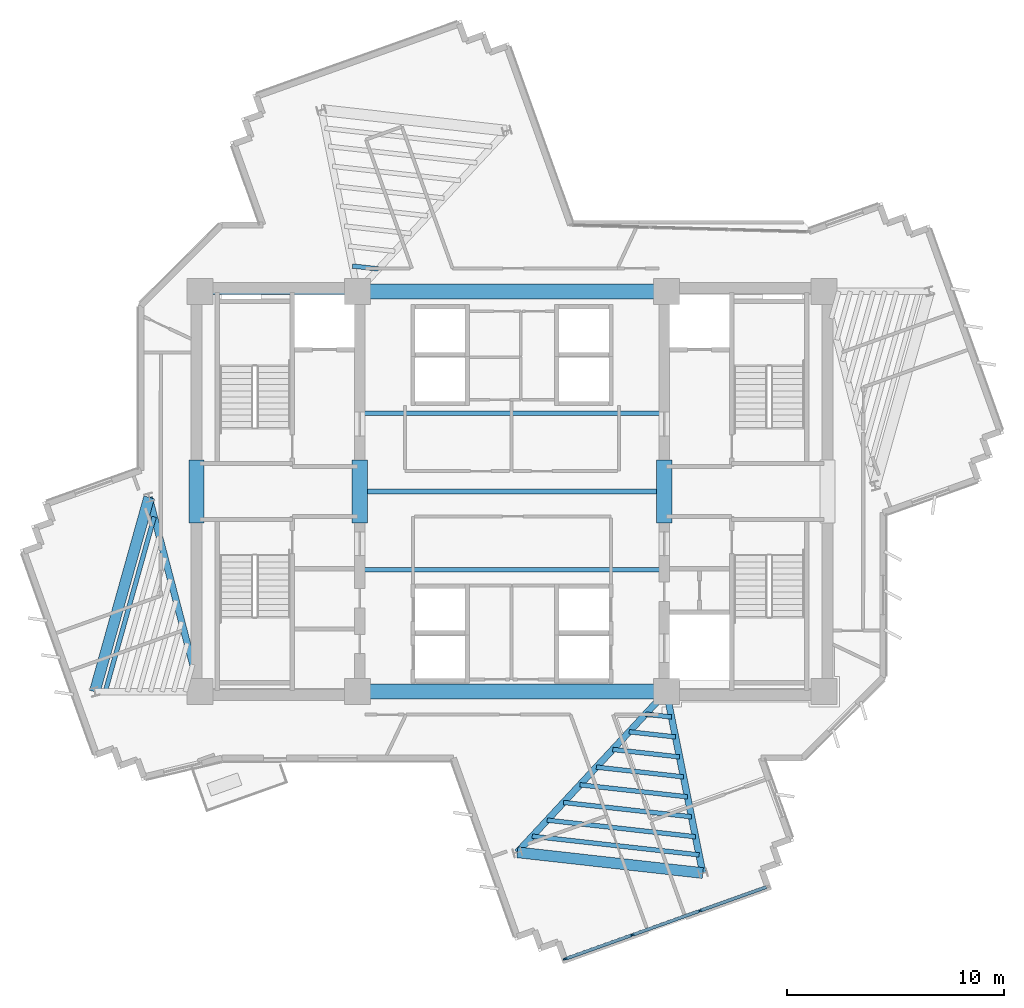
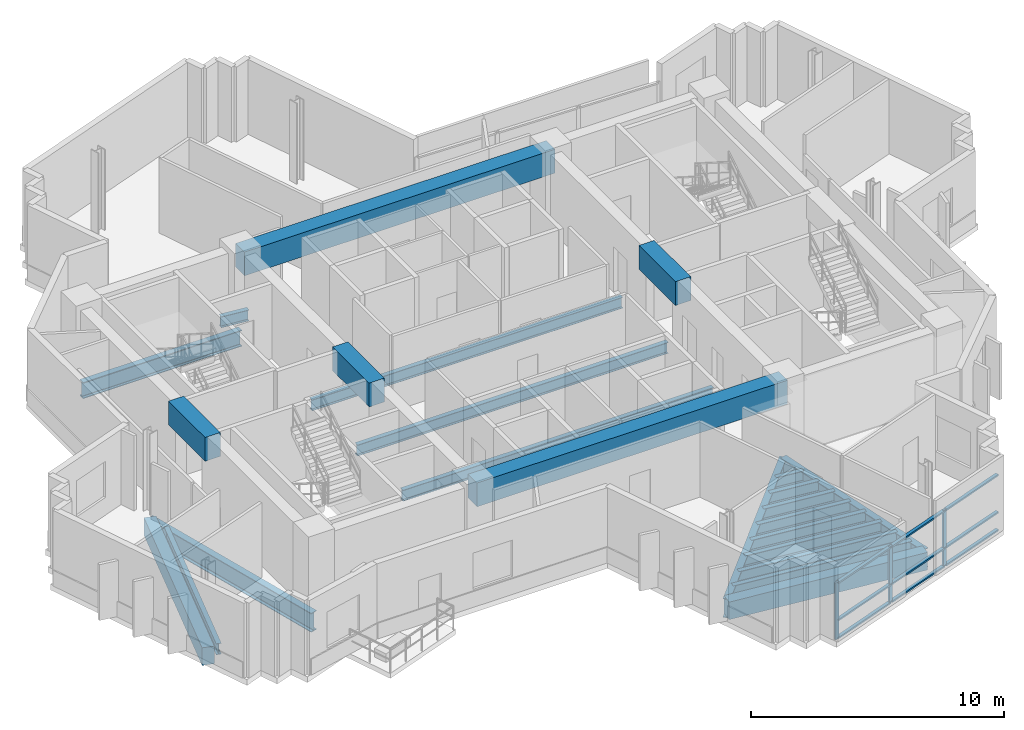
# One storey, part 2 of 13: 24 beams, 12 members, 1 element without a shape of its own.
"""IFC4 building model written with IfcOpenShell, lengths in metres."""

import ifcopenshell
import ifcopenshell.guid

model = None  # the IFC model being written
_history = None  # IfcOwnerHistory: only IFC2X3 demands one
_inside = {}  # id of a spatial element -> (the spatial element, [elements in it])
_under = {}  # id of a project, library or spatial element -> (it, [spatial elements below it])
_declared = {}  # id of a project -> (the project, [libraries it declares])
_typed = {}  # id of a type object -> (the type object, [elements of that type])
_made_of = {}  # id of a material, layer set ... -> (it, [elements and type objects made of it])


def new_model(schema):
    """Start an empty IFC model of exactly this schema.

    Asked for "IFC4X3", IfcOpenShell would pick the latest addendum, in which some entities
    have other attributes; the version numbers below select the first issue.
    IFC2X3 requires an IfcOwnerHistory on every rooted entity: one is made here for all.
    """
    global model, _history
    if schema == "IFC4X3":
        model = ifcopenshell.file(schema_version=(4, 3, 0, 0))
    else:
        model = ifcopenshell.file(schema=schema)
    _inside.clear()
    _under.clear()
    _declared.clear()
    _typed.clear()
    _made_of.clear()
    _history = None
    if model.schema == "IFC2X3":
        org = make("IfcOrganization", Name="unknown")
        user = make(
            "IfcPersonAndOrganization",
            ThePerson=make("IfcPerson", FamilyName="unknown"),
            TheOrganization=org,
        )
        app = make(
            "IfcApplication",
            ApplicationDeveloper=org,
            Version="unknown",
            ApplicationFullName="unknown",
            ApplicationIdentifier="unknown",
        )
        _history = make(
            "IfcOwnerHistory",
            OwningUser=user,
            OwningApplication=app,
            ChangeAction="ADDED",
            CreationDate=0,
        )
    return model


def make(cls, **values):
    """One entity of the class cls with the attributes given. An attribute that is None is left unset."""
    return model.create_entity(
        cls, **{name: value for name, value in values.items() if value is not None}
    )


def rooted(cls, **values):
    """An entity with a GlobalId (a new one), such as an element, a storey or a relation."""
    return make(cls, GlobalId=ifcopenshell.guid.new(), OwnerHistory=_history, **values)


def si_unit(unit_type, name, prefix=None):
    """IfcSIUnit, for example si_unit("LENGTHUNIT", "METRE", prefix="MILLI")."""
    return make("IfcSIUnit", UnitType=unit_type, Prefix=prefix, Name=name)


def assignment(units):
    """IfcUnitAssignment: the units of a project."""
    return None if units is None else make("IfcUnitAssignment", Units=units)


def point(xyz):
    """IfcCartesianPoint."""
    return None if xyz is None else make("IfcCartesianPoint", Coordinates=xyz)


def direction(xyz):
    """IfcDirection."""
    return None if xyz is None else make("IfcDirection", DirectionRatios=xyz)


def frame(location, z_axis=None, x_axis=None):
    """IfcAxis2Placement3D, a coordinate frame: its origin and axes. An axis left out is left unset."""
    return make(
        "IfcAxis2Placement3D",
        Location=point(location),
        Axis=direction(z_axis),
        RefDirection=direction(x_axis),
    )


def frame_2d(location, x_axis=None):
    """IfcAxis2Placement2D, a coordinate frame in the plane: its origin and x axis."""
    return make(
        "IfcAxis2Placement2D", Location=point(location), RefDirection=direction(x_axis)
    )


def origin():
    """The frame at (0, 0, 0) with its axes left unset."""
    return frame((0.0, 0.0, 0.0))


def origin_2d():
    """The frame at (0, 0) in the plane with its x axis left unset."""
    return frame_2d((0.0, 0.0))


def place(relative_to, where):
    """IfcLocalPlacement: puts the frame where relative to a parent placement (None: the world)."""
    return make(
        "IfcLocalPlacement", PlacementRelTo=relative_to, RelativePlacement=where
    )


def context(
    kind, dimensions, precision=None, world=None, true_north=None, identifier=None
):
    """IfcGeometricRepresentationContext, for example the 3D "Model" context."""
    return make(
        "IfcGeometricRepresentationContext",
        ContextIdentifier=identifier,
        ContextType=kind,
        CoordinateSpaceDimension=dimensions,
        Precision=precision,
        WorldCoordinateSystem=world,
        TrueNorth=true_north,
    )


def subcontext(parent, identifier, kind, view, scale=None):
    """IfcGeometricRepresentationSubContext, for example "Body" below "Model"."""
    return make(
        "IfcGeometricRepresentationSubContext",
        ContextIdentifier=identifier,
        ContextType=kind,
        ParentContext=parent,
        TargetScale=scale,
        TargetView=view,
    )


def project(units=None, contexts=None):
    """IfcProject with its units and contexts."""
    return rooted(
        "IfcProject",
        Name="project",
        RepresentationContexts=contexts,
        UnitsInContext=assignment(units),
    )


def spatial(cls, under=None, at=None, **own):
    """A site, building, storey or space (cls), placed at a placement, below another one or the project."""
    s = rooted(cls, ObjectPlacement=at, **own)
    if under is not None:
        _under.setdefault(under.id(), (under, []))[1].append(s)
    return s


def profile(cls, at=None, kind="AREA", **sizes):
    """A parametric profile (cls). Its sizes go by their IFC names, for example OverallWidth=200.0."""
    return make(cls, ProfileType=kind, Position=at, **sizes)


def rectangle(**sizes):
    """IfcRectangleProfileDef."""
    return profile("IfcRectangleProfileDef", **sizes)


def i_section(**sizes):
    """IfcIShapeProfileDef."""
    return profile("IfcIShapeProfileDef", **sizes)


def extrude(swept, where, along, depth):
    """IfcExtrudedAreaSolid: the profile swept, set in the frame where, extruded along a direction by depth."""
    return make(
        "IfcExtrudedAreaSolid",
        SweptArea=swept,
        Position=where,
        ExtrudedDirection=direction(along),
        Depth=depth,
    )


def shape(context_of_items, identifier, shape_type, items):
    """IfcShapeRepresentation: the items that make up one representation, for example the "Body"."""
    return make(
        "IfcShapeRepresentation",
        ContextOfItems=context_of_items,
        RepresentationIdentifier=identifier,
        RepresentationType=shape_type,
        Items=items,
    )


def source(mapping_origin, context_of_items, identifier, shape_type, items):
    """IfcRepresentationMap: a shape defined once, which mapped items show again and again."""
    return make(
        "IfcRepresentationMap",
        MappingOrigin=mapping_origin,
        MappedRepresentation=shape(context_of_items, identifier, shape_type, items),
    )


def transform(
    local_origin,
    x_axis=None,
    y_axis=None,
    z_axis=None,
    scale=None,
    scale2=None,
    scale3=None,
    uniform=True,
):
    """IfcCartesianTransformationOperator3D, or its non-uniform kind. x_axis, y_axis, z_axis: its Axis1, 2, 3."""
    if uniform:
        return make(
            "IfcCartesianTransformationOperator3D",
            Axis1=direction(x_axis),
            Axis2=direction(y_axis),
            LocalOrigin=point(local_origin),
            Scale=scale,
            Axis3=direction(z_axis),
        )
    return make(
        "IfcCartesianTransformationOperator3DnonUniform",
        Axis1=direction(x_axis),
        Axis2=direction(y_axis),
        LocalOrigin=point(local_origin),
        Scale=scale,
        Axis3=direction(z_axis),
        Scale2=scale2,
        Scale3=scale3,
    )


def mapped(mapping_source, mapping_target):
    """IfcMappedItem: shows the shape of a source again, moved by a transform."""
    return make(
        "IfcMappedItem", MappingSource=mapping_source, MappingTarget=mapping_target
    )


def material(Name=None, Category=None):
    """IfcMaterial."""
    return make("IfcMaterial", Name=Name, Category=Category)


def layer(
    of_material, thickness, ventilated=None, Name=None, Category=None, Priority=None
):
    """IfcMaterialLayer: one layer of a wall or slab, of a material (None: an air gap)."""
    return make(
        "IfcMaterialLayer",
        Material=of_material,
        LayerThickness=thickness,
        IsVentilated=ventilated,
        Name=Name,
        Category=Category,
        Priority=Priority,
    )


def layer_set(layers, Name=None):
    """IfcMaterialLayerSet."""
    return make("IfcMaterialLayerSet", MaterialLayers=layers, LayerSetName=Name)


def material_profile(
    of_material, cross_section, Name=None, Category=None, Priority=None
):
    """IfcMaterialProfile: a cross section and its material."""
    return make(
        "IfcMaterialProfile",
        Name=Name,
        Material=of_material,
        Profile=cross_section,
        Priority=Priority,
        Category=Category,
    )


def profile_set(profiles, Name=None, composite=None):
    """IfcMaterialProfileSet."""
    return make(
        "IfcMaterialProfileSet",
        Name=Name,
        MaterialProfiles=profiles,
        CompositeProfile=composite,
    )


def made_of(thing, what):
    """Note that an element or type object is made of a material, layer set ...; save() writes the relation."""
    if what is not None:
        _made_of.setdefault(what.id(), (what, []))[1].append(thing)
    return thing


def type_object(cls, material=None, **own):
    """A type object (cls), such as IfcWallType, which elements share."""
    return made_of(rooted(cls, **own), material)


def element(
    cls,
    number,
    at=None,
    inside=None,
    cuts=None,
    type_object=None,
    material=None,
    context=None,
    identifier="Body",
    shape_type=None,
    held_by="IfcProductDefinitionShape",
    body=None,
    shapes=None,
    **own,
):
    """One element of the class cls, such as IfcWall. Its Tag is "e" and its number.

    at: its placement. inside: the storey or other place that contains it. cuts: it is an
    opening in that element (IfcRelVoidsElement). A single representation is given by context,
    identifier, shape_type and body (its items); several are given by shapes. held_by: the class
    of the entity that holds the representations. save() writes the other relations.
    """
    e = rooted(cls, Tag="e%d" % number, ObjectPlacement=at, **own)
    if body is not None:
        shapes = [shape(context, identifier, shape_type, body)]
    if shapes is not None:
        e.Representation = make(held_by, Representations=shapes)
    if inside is not None:
        _inside.setdefault(inside.id(), (inside, []))[1].append(e)
    if cuts is not None:
        rooted(
            "IfcRelVoidsElement", RelatingBuildingElement=cuts, RelatedOpeningElement=e
        )
    if type_object is not None:
        _typed.setdefault(type_object.id(), (type_object, []))[1].append(e)
    return made_of(e, material)


def aggregate(whole, parts):
    """IfcRelAggregates: a whole, such as a stair, and the parts it consists of."""
    return rooted("IfcRelAggregates", RelatingObject=whole, RelatedObjects=parts)


def save(model, path):
    """Write the relations noted so far, then the file.

    IfcRelAggregates (storeys below a building ...), IfcRelContainedInSpatialStructure (elements
    in a storey), IfcRelDefinesByType, IfcRelAssociatesMaterial and IfcRelDeclares: one each for
    every whole, place, type object, material and project.
    """
    for whole, parts in _under.values():
        aggregate(whole, parts)
    for where, things in _inside.values():
        rooted(
            "IfcRelContainedInSpatialStructure",
            RelatedElements=things,
            RelatingStructure=where,
        )
    for kind, things in _typed.values():
        rooted("IfcRelDefinesByType", RelatedObjects=things, RelatingType=kind)
    for what, things in _made_of.values():
        rooted("IfcRelAssociatesMaterial", RelatedObjects=things, RelatingMaterial=what)
    for by, libraries in _declared.values():
        rooted("IfcRelDeclares", RelatingContext=by, RelatedDefinitions=libraries)
    model.write(path)


model = new_model("IFC4")

# Units and contexts
model_context = context("Model", 3, precision=1e-05, world=origin(), true_north=direction((0.0, 1.0)))
body_context = subcontext(model_context, "Body", "Model", "MODEL_VIEW")
ifc_project = project(units=[si_unit("LENGTHUNIT", "METRE"), si_unit("AREAUNIT", "SQUARE_METRE"), si_unit("VOLUMEUNIT", "CUBIC_METRE"), si_unit("PLANEANGLEUNIT", "RADIAN"), si_unit("MASSUNIT", "GRAM", prefix="KILO")], contexts=[model_context])

# Site, building, storey
site_placement = place(None, origin())
site = spatial("IfcSite", under=ifc_project, at=site_placement, CompositionType="ELEMENT")
building_placement = place(site_placement, origin())
building = spatial("IfcBuilding", under=site, at=building_placement, Name="Zahravan Cultural Tower", CompositionType="ELEMENT")
storey_placement = place(building_placement, frame((0.0, 0.0, 221.39990234375)))
storey = spatial("IfcBuildingStorey", under=building, at=storey_placement, Name="L52", CompositionType="ELEMENT", Elevation=221.39990234375)

# Beams
ifc_material_1 = material(Name="Concrete C50/60", Category="concrete")
ifc_material_profile_1 = material_profile(ifc_material_1, rectangle(XDim=0.699951171875, YDim=1.14990234375, at=origin_2d()), Name="RC700X1150")
ifc_profile_set_1 = profile_set([ifc_material_profile_1], Name="Concrete C50/60")
beam_type_1 = type_object("IfcBeamType", Name="BM-LN-RC700X1150", PredefinedType="LINTEL", material=ifc_profile_set_1)
shared_shape_1 = source(origin(), body_context, "Body", "SweptSolid", [
    extrude(rectangle(XDim=0.699951171875, YDim=1.14990234375, at=origin_2d()), origin(), (0.0, 0.0, 1.0), 14.2001953125),
])
for number, where, z_axis, x_axis, name in (
    (1, (28.89990234375, 17.800048828125, 3.045166015625), (1.0, 0.0, 0.0), (0.0, 1.0, 0.0), "L52 Beam LN-L52-S"),
    (2, (28.89990234375, 36.199951171875, 3.045166015625), (1.0, 0.0, 0.0), (0.0, 1.0, 0.0), "L52 Beam LN-L52-N"),
):
    element("IfcBeam", number, at=place(storey_placement, frame(where, z_axis=z_axis, x_axis=x_axis)), inside=storey, type_object=beam_type_1, Name=name, PredefinedType="LINTEL", context=body_context, shape_type="MappedRepresentation", body=[
        mapped(shared_shape_1, transform((0.0, 0.0, 0.0), x_axis=(1.0, 0.0, 0.0), y_axis=(0.0, 1.0, 0.0), z_axis=(0.0, 0.0, 1.0), scale=1.0)),
    ])
shared_shape_2 = source(origin(), body_context, "Body", "SweptSolid", [
    extrude(rectangle(XDim=0.699951171875, YDim=1.14990234375, at=origin_2d()), origin(), (0.0, 0.0, 1.0), 2.89990234375),
])
for number, where, z_axis, x_axis, name in (
    (3, (21.5, 25.550048828125, 3.045166015625), (0.0, 1.0, 0.0), (-1.0, 0.0, 0.0), "L52 Beam LN-L52-PWW"),
    (4, (29.0, 25.550048828125, 3.045166015625), (0.0, 1.0, 0.0), (-1.0, 0.0, 0.0), "L52 Beam LN-L52-PWE"),
    (5, (43.0, 25.550048828125, 3.045166015625), (0.0, 1.0, 0.0), (-1.0, 0.0, 0.0), "L52 Beam LN-L52-PEW"),
):
    element("IfcBeam", number, at=place(storey_placement, frame(where, z_axis=z_axis, x_axis=x_axis)), inside=storey, type_object=beam_type_1, Name=name, PredefinedType="LINTEL", context=body_context, shape_type="MappedRepresentation", body=[
        mapped(shared_shape_2, transform((0.0, 0.0, 0.0), x_axis=(1.0, 0.0, 0.0), y_axis=(0.0, 1.0, 0.0), z_axis=(0.0, 0.0, 1.0), scale=1.0)),
    ])
ifc_material_2 = material(Name="Steel ASTM A992 Grade 50", Category="steel")
ifc_material_profile_2 = material_profile(ifc_material_2, i_section(OverallWidth=0.26611328125, OverallDepth=0.780029296875, WebThickness=0.0166015625, FlangeThickness=0.030029296875, FilletRadius=0.01904296875, at=origin_2d()), Name="W30X148")
ifc_profile_set_2 = profile_set([ifc_material_profile_2], Name="Steel ASTM A992 Grade 50")
beam_type_2 = type_object("IfcBeamType", Name="BM-G-W30X148", PredefinedType="BEAM", material=ifc_profile_set_2)
shared_shape_3 = source(origin(), body_context, "Body", "SweptSolid", [
    extrude(i_section(OverallWidth=0.26611328125, OverallDepth=0.780029296875, WebThickness=0.0166015625, FlangeThickness=0.030029296875, FilletRadius=0.01904296875, at=origin_2d()), origin(), (0.0, 0.0, 1.0), 7.25),
])
beam_1_placement = place(storey_placement, frame((21.64990234375, 36.199951171875, -0.669921875), z_axis=(1.0, 0.0, 0.0), x_axis=(0.0, 1.0, 0.0)))
element("IfcBeam", 6, at=beam_1_placement, inside=storey, type_object=beam_type_2, Name="L52 Beam BG-L52-02", PredefinedType="BEAM", context=body_context, shape_type="MappedRepresentation", body=[
    mapped(shared_shape_3, transform((0.0, 0.0, 0.0), x_axis=(1.0, 0.0, 0.0), y_axis=(0.0, 1.0, 0.0), z_axis=(0.0, 0.0, 1.0), scale=1.0)),
])
ifc_material_profile_3 = material_profile(ifc_material_2, i_section(OverallWidth=0.304931640625, OverallDepth=0.9189453125, WebThickness=0.017333984375, FlangeThickness=0.02783203125, FilletRadius=0.02392578125, at=origin_2d()), Name="W36X170")
ifc_profile_set_3 = profile_set([ifc_material_profile_3], Name="Steel ASTM A992 Grade 50")
beam_type_3 = type_object("IfcBeamType", Name="BM-G-W36X170", PredefinedType="BEAM", material=ifc_profile_set_3)
shared_shape_4 = source(origin(), body_context, "Body", "SweptSolid", [
    extrude(i_section(OverallWidth=0.304931640625, OverallDepth=0.9189453125, WebThickness=0.017333984375, FlangeThickness=0.02783203125, FilletRadius=0.02392578125, at=origin_2d()), origin(), (0.0, 0.0, 1.0), 9.22900390625),
])
beam_2_placement = place(storey_placement, frame((21.64990234375, 17.800048828125, -0.739501953125), z_axis=(-0.252922608408, 0.967486513682, 0.0), x_axis=(-0.967486513682, -0.252922608408, 0.0)))
element("IfcBeam", 7, at=beam_2_placement, inside=storey, type_object=beam_type_3, Name="L52 Beam BG-L52-07", PredefinedType="BEAM", context=body_context, shape_type="MappedRepresentation", body=[
    mapped(shared_shape_4, transform((0.0, 0.0, 0.0), x_axis=(1.0, 0.0, 0.0), y_axis=(0.0, 1.0, 0.0), z_axis=(0.0, 0.0, 1.0), scale=1.0)),
])
shared_shape_5 = source(origin(), body_context, "Body", "SweptSolid", [
    extrude(i_section(OverallWidth=0.304931640625, OverallDepth=0.9189453125, WebThickness=0.017333984375, FlangeThickness=0.02783203125, FilletRadius=0.02392578125, at=origin_2d()), origin(), (0.0, 0.0, 1.0), 10.077880859375),
])
beam_3_placement = place(storey_placement, frame((43.10009765625, 17.800048828125, -0.739501953125), z_axis=(-0.680170435587, -0.733054007938, 0.0), x_axis=(0.733054007938, -0.680170435587, 0.0)))
element("IfcBeam", 8, at=beam_3_placement, inside=storey, type_object=beam_type_3, Name="L52 Beam BG-L52-09", PredefinedType="BEAM", context=body_context, shape_type="MappedRepresentation", body=[
    mapped(shared_shape_5, transform((0.0, 0.0, 0.0), x_axis=(1.0, 0.0, 0.0), y_axis=(0.0, 1.0, 0.0), z_axis=(0.0, 0.0, 1.0), scale=1.0)),
])
shared_shape_6 = source(origin(), body_context, "Body", "SweptSolid", [
    extrude(i_section(OverallWidth=0.304931640625, OverallDepth=0.9189453125, WebThickness=0.017333984375, FlangeThickness=0.02783203125, FilletRadius=0.02392578125, at=origin_2d()), origin(), (0.0, 0.0, 1.0), 8.50732421875),
])
beam_4_placement = place(storey_placement, frame((43.10009765625, 17.800048828125, -0.739501953125), z_axis=(0.196524514012, -0.980498911469, 0.0), x_axis=(0.980498911469, 0.196524514012, 0.0)))
element("IfcBeam", 9, at=beam_4_placement, inside=storey, type_object=beam_type_3, Name="L52 Beam BG-L52-10", PredefinedType="BEAM", context=body_context, shape_type="MappedRepresentation", body=[
    mapped(shared_shape_6, transform((0.0, 0.0, 0.0), x_axis=(1.0, 0.0, 0.0), y_axis=(0.0, 1.0, 0.0), z_axis=(0.0, 0.0, 1.0), scale=1.0)),
])
ifc_material_profile_4 = material_profile(ifc_material_1, rectangle(XDim=0.5, YDim=0.85009765625, at=origin_2d()), Name="RC500X850")
ifc_profile_set_4 = profile_set([ifc_material_profile_4], Name="Concrete C50/60")
beam_type_4 = type_object("IfcBeamType", Name="BM-SP-RC500X850", PredefinedType="SPANDREL", material=ifc_profile_set_4)
shared_shape_7 = source(origin(), body_context, "Body", "SweptSolid", [
    extrude(rectangle(XDim=0.5, YDim=0.85009765625, at=origin_2d()), origin(), (0.0, 0.0, 1.0), 9.2783203125),
])
beam_5_placement = place(storey_placement, frame((19.315673828125, 26.72900390625, -0.704833984375), z_axis=(-0.269497187032, -0.963001176625, 0.0), x_axis=(0.963001176625, -0.269497187032, 0.0)))
element("IfcBeam", 10, at=beam_5_placement, inside=storey, type_object=beam_type_4, Name="L52 Beam SP-L52-15", PredefinedType="SPANDREL", context=body_context, shape_type="MappedRepresentation", body=[
    mapped(shared_shape_7, transform((0.0, 0.0, 0.0), x_axis=(1.0, 0.0, 0.0), y_axis=(0.0, 1.0, 0.0), z_axis=(0.0, 0.0, 1.0), scale=1.0)),
])
shared_shape_8 = source(origin(), body_context, "Body", "SweptSolid", [
    extrude(rectangle(XDim=0.5, YDim=0.85009765625, at=origin_2d()), origin(), (0.0, 0.0, 1.0), 8.579833984375),
])
beam_6_placement = place(storey_placement, frame((36.245361328125, 10.412353515625, -0.704833984375), z_axis=(0.9938040105, -0.11114669907, 0.0), x_axis=(0.11114669907, 0.9938040105, 0.0)))
element("IfcBeam", 11, at=beam_6_placement, inside=storey, type_object=beam_type_4, Name="L52 Beam SP-L52-16", PredefinedType="SPANDREL", context=body_context, shape_type="MappedRepresentation", body=[
    mapped(shared_shape_8, transform((0.0, 0.0, 0.0), x_axis=(1.0, 0.0, 0.0), y_axis=(0.0, 1.0, 0.0), z_axis=(0.0, 0.0, 1.0), scale=1.0)),
])
ifc_material_profile_5 = material_profile(ifc_material_2, i_section(OverallWidth=0.2099609375, OverallDepth=0.532958984375, WebThickness=0.01025390625, FlangeThickness=0.015625, FilletRadius=0.013916015625, at=origin_2d()), Name="W21X62")
ifc_profile_set_5 = profile_set([ifc_material_profile_5], Name="Steel ASTM A992 Grade 50")
beam_type_5 = type_object("IfcBeamType", Name="BM-J-W21X62", PredefinedType="JOIST", material=ifc_profile_set_5)
shared_shape_9 = source(origin(), body_context, "Body", "SweptSolid", [
    extrude(i_section(OverallWidth=0.2099609375, OverallDepth=0.532958984375, WebThickness=0.01025390625, FlangeThickness=0.015625, FilletRadius=0.013916015625, at=origin_2d()), origin(), (0.0, 0.0, 1.0), 14.2001953125),
])
for number, where, z_axis, x_axis, name in (
    (12, (28.89990234375, 23.39990234375, -0.54638671875), (1.0, 0.0, 0.0), (0.0, 1.0, 0.0), "L52 Beam BJ-L52-19"),
    (13, (28.89990234375, 27.0, -0.54638671875), (1.0, 0.0, 0.0), (0.0, 1.0, 0.0), "L52 Beam BJ-L52-20"),
    (14, (28.89990234375, 30.60009765625, -0.54638671875), (1.0, 0.0, 0.0), (0.0, 1.0, 0.0), "L52 Beam BJ-L52-21"),
):
    element("IfcBeam", number, at=place(storey_placement, frame(where, z_axis=z_axis, x_axis=x_axis)), inside=storey, type_object=beam_type_5, Name=name, PredefinedType="JOIST", context=body_context, shape_type="MappedRepresentation", body=[
        mapped(shared_shape_9, transform((0.0, 0.0, 0.0), x_axis=(1.0, 0.0, 0.0), y_axis=(0.0, 1.0, 0.0), z_axis=(0.0, 0.0, 1.0), scale=1.0)),
    ])
shared_shape_10 = source(origin(), body_context, "Body", "SweptSolid", [
    extrude(i_section(OverallWidth=0.2099609375, OverallDepth=0.532958984375, WebThickness=0.01025390625, FlangeThickness=0.015625, FilletRadius=0.013916015625, at=origin_2d()), origin(), (0.0, 0.0, 1.0), 8.350830078125),
])
beam_7_placement = place(storey_placement, frame((19.549072265625, 25.836181640625, -0.54638671875), z_axis=(-0.269496539555, -0.963001357822, 0.0), x_axis=(0.963001357822, -0.269496539555, 0.0)))
element("IfcBeam", 15, at=beam_7_placement, inside=storey, type_object=beam_type_5, Name="L52 Beam BJ-L52-29", PredefinedType="JOIST", context=body_context, shape_type="MappedRepresentation", body=[
    mapped(shared_shape_10, transform((0.0, 0.0, 0.0), x_axis=(1.0, 0.0, 0.0), y_axis=(0.0, 1.0, 0.0), z_axis=(0.0, 0.0, 1.0), scale=1.0)),
])
shared_shape_11 = source(origin(), body_context, "Body", "SweptSolid", [
    extrude(i_section(OverallWidth=0.2099609375, OverallDepth=0.532958984375, WebThickness=0.01025390625, FlangeThickness=0.015625, FilletRadius=0.013916015625, at=origin_2d()), origin(), (0.0, 0.0, 1.0), 1.201171875),
])
for number, where, z_axis, x_axis, name in (
    (16, (42.140380859375, 16.765625, -0.54638671875), (0.99379916149, -0.111190047317, 0.0), (0.111190047317, 0.99379916149, 0.0), "L52 Beam BJ-L52-30"),
    (17, (29.859619140625, 37.234375, -0.54638671875), (-0.99379916149, 0.111190047317, 0.0), (-0.111190047317, -0.99379916149, 0.0), "L52 Beam BJ-L52-46"),
):
    element("IfcBeam", number, at=place(storey_placement, frame(where, z_axis=z_axis, x_axis=x_axis)), inside=storey, type_object=beam_type_5, Name=name, PredefinedType="JOIST", context=body_context, shape_type="MappedRepresentation", body=[
        mapped(shared_shape_11, transform((0.0, 0.0, 0.0), x_axis=(1.0, 0.0, 0.0), y_axis=(0.0, 1.0, 0.0), z_axis=(0.0, 0.0, 1.0), scale=1.0)),
    ])
shared_shape_12 = source(origin(), body_context, "Body", "SweptSolid", [
    extrude(i_section(OverallWidth=0.2099609375, OverallDepth=0.532958984375, WebThickness=0.01025390625, FlangeThickness=0.015625, FilletRadius=0.013916015625, at=origin_2d()), origin(), (0.0, 0.0, 1.0), 2.144775390625),
])
beam_8_placement = place(storey_placement, frame((41.386474609375, 15.953125, -0.54638671875), z_axis=(0.993797370806, -0.111206051, 0.0), x_axis=(0.111206051, 0.993797370806, 0.0)))
element("IfcBeam", 18, at=beam_8_placement, inside=storey, type_object=beam_type_5, Name="L52 Beam BJ-L52-31", PredefinedType="JOIST", context=body_context, shape_type="MappedRepresentation", body=[
    mapped(shared_shape_12, transform((0.0, 0.0, 0.0), x_axis=(1.0, 0.0, 0.0), y_axis=(0.0, 1.0, 0.0), z_axis=(0.0, 0.0, 1.0), scale=1.0)),
])
shared_shape_13 = source(origin(), body_context, "Body", "SweptSolid", [
    extrude(i_section(OverallWidth=0.2099609375, OverallDepth=0.532958984375, WebThickness=0.01025390625, FlangeThickness=0.015625, FilletRadius=0.013916015625, at=origin_2d()), origin(), (0.0, 0.0, 1.0), 3.088623046875),
])
beam_9_placement = place(storey_placement, frame((40.63232421875, 15.140380859375, -0.54638671875), z_axis=(0.993805407368, -0.111134208443, 0.0), x_axis=(0.111134208443, 0.993805407368, 0.0)))
element("IfcBeam", 19, at=beam_9_placement, inside=storey, type_object=beam_type_5, Name="L52 Beam BJ-L52-32", PredefinedType="JOIST", context=body_context, shape_type="MappedRepresentation", body=[
    mapped(shared_shape_13, transform((0.0, 0.0, 0.0), x_axis=(1.0, 0.0, 0.0), y_axis=(0.0, 1.0, 0.0), z_axis=(0.0, 0.0, 1.0), scale=1.0)),
])
shared_shape_14 = source(origin(), body_context, "Body", "SweptSolid", [
    extrude(i_section(OverallWidth=0.2099609375, OverallDepth=0.532958984375, WebThickness=0.01025390625, FlangeThickness=0.015625, FilletRadius=0.013916015625, at=origin_2d()), origin(), (0.0, 0.0, 1.0), 4.0322265625),
])
beam_10_placement = place(storey_placement, frame((39.87841796875, 14.327880859375, -0.54638671875), z_axis=(0.993802245601, -0.11116247855, 0.0), x_axis=(0.11116247855, 0.993802245601, 0.0)))
element("IfcBeam", 20, at=beam_10_placement, inside=storey, type_object=beam_type_5, Name="L52 Beam BJ-L52-33", PredefinedType="JOIST", context=body_context, shape_type="MappedRepresentation", body=[
    mapped(shared_shape_14, transform((0.0, 0.0, 0.0), x_axis=(1.0, 0.0, 0.0), y_axis=(0.0, 1.0, 0.0), z_axis=(0.0, 0.0, 1.0), scale=1.0)),
])
shared_shape_15 = source(origin(), body_context, "Body", "SweptSolid", [
    extrude(i_section(OverallWidth=0.2099609375, OverallDepth=0.532958984375, WebThickness=0.01025390625, FlangeThickness=0.015625, FilletRadius=0.013916015625, at=origin_2d()), origin(), (0.0, 0.0, 1.0), 4.97607421875),
])
beam_11_placement = place(storey_placement, frame((39.124267578125, 13.51513671875, -0.54638671875), z_axis=(0.993806308517, -0.111126149723, 0.0), x_axis=(0.111126149723, 0.993806308517, 0.0)))
element("IfcBeam", 21, at=beam_11_placement, inside=storey, type_object=beam_type_5, Name="L52 Beam BJ-L52-34", PredefinedType="JOIST", context=body_context, shape_type="MappedRepresentation", body=[
    mapped(shared_shape_15, transform((0.0, 0.0, 0.0), x_axis=(1.0, 0.0, 0.0), y_axis=(0.0, 1.0, 0.0), z_axis=(0.0, 0.0, 1.0), scale=1.0)),
])
shared_shape_16 = source(origin(), body_context, "Body", "SweptSolid", [
    extrude(i_section(OverallWidth=0.2099609375, OverallDepth=0.532958984375, WebThickness=0.01025390625, FlangeThickness=0.015625, FilletRadius=0.013916015625, at=origin_2d()), origin(), (0.0, 0.0, 1.0), 5.919921875),
])
beam_12_placement = place(storey_placement, frame((38.370361328125, 12.70263671875, -0.54638671875), z_axis=(0.993804520866, -0.111142135602, 0.0), x_axis=(0.111142135602, 0.993804520866, 0.0)))
element("IfcBeam", 22, at=beam_12_placement, inside=storey, type_object=beam_type_5, Name="L52 Beam BJ-L52-35", PredefinedType="JOIST", context=body_context, shape_type="MappedRepresentation", body=[
    mapped(shared_shape_16, transform((0.0, 0.0, 0.0), x_axis=(1.0, 0.0, 0.0), y_axis=(0.0, 1.0, 0.0), z_axis=(0.0, 0.0, 1.0), scale=1.0)),
])
shared_shape_17 = source(origin(), body_context, "Body", "SweptSolid", [
    extrude(i_section(OverallWidth=0.2099609375, OverallDepth=0.532958984375, WebThickness=0.01025390625, FlangeThickness=0.015625, FilletRadius=0.013916015625, at=origin_2d()), origin(), (0.0, 0.0, 1.0), 6.86376953125),
])
beam_13_placement = place(storey_placement, frame((37.6162109375, 11.889892578125, -0.54638671875), z_axis=(0.993803224695, -0.111153725024, 0.0), x_axis=(0.111153725024, 0.993803224695, 0.0)))
element("IfcBeam", 23, at=beam_13_placement, inside=storey, type_object=beam_type_5, Name="L52 Beam BJ-L52-36", PredefinedType="JOIST", context=body_context, shape_type="MappedRepresentation", body=[
    mapped(shared_shape_17, transform((0.0, 0.0, 0.0), x_axis=(1.0, 0.0, 0.0), y_axis=(0.0, 1.0, 0.0), z_axis=(0.0, 0.0, 1.0), scale=1.0)),
])
shared_shape_18 = source(origin(), body_context, "Body", "SweptSolid", [
    extrude(i_section(OverallWidth=0.2099609375, OverallDepth=0.532958984375, WebThickness=0.01025390625, FlangeThickness=0.015625, FilletRadius=0.013916015625, at=origin_2d()), origin(), (0.0, 0.0, 1.0), 7.7216796875),
])
beam_14_placement = place(storey_placement, frame((36.930908203125, 11.151123046875, -0.54638671875), z_axis=(0.993805212115, -0.11113595446, 0.0), x_axis=(0.11113595446, 0.993805212115, 0.0)))
element("IfcBeam", 24, at=beam_14_placement, inside=storey, type_object=beam_type_5, Name="L52 Beam BJ-L52-37", PredefinedType="JOIST", context=body_context, shape_type="MappedRepresentation", body=[
    mapped(shared_shape_18, transform((0.0, 0.0, 0.0), x_axis=(1.0, 0.0, 0.0), y_axis=(0.0, 1.0, 0.0), z_axis=(0.0, 0.0, 1.0), scale=1.0)),
])

# Curtain wall, members
ifc_material_3 = material(Name="Anodised bronze-aluminium mullion", Category="aluminium")
ifc_layer = layer(ifc_material_3, 0.199951171875)
ifc_layer_set = layer_set([ifc_layer], Name="Anodised bronze-aluminium mullion")
curtain_wall_type = type_object("IfcCurtainWallType", Name="CW-SYS-2", PredefinedType="USERDEFINED", material=ifc_layer_set)
curtain_wall_placement = place(storey_placement, origin())
curtain_wall = element("IfcCurtainWall", 25, at=curtain_wall_placement, inside=storey, type_object=curtain_wall_type, Name="L52 Recessed Curtain Wall CW-2.1", ObjectType="RECESSED GLAZING", PredefinedType="USERDEFINED")
ifc_material_profile_6 = material_profile(ifc_material_3, rectangle(XDim=0.14990234375, YDim=0.074951171875, at=origin_2d()), Name="AL-T75X150")
ifc_profile_set_6 = profile_set([ifc_material_profile_6], Name="Anodised bronze-aluminium mullion")
member_type_1 = type_object("IfcMemberType", Name="CWT-CW-2", PredefinedType="USERDEFINED", material=ifc_profile_set_6)
shared_shape_19 = source(origin(), body_context, "Body", "SweptSolid", [
    extrude(rectangle(XDim=0.14990234375, YDim=0.074951171875, at=origin_2d()), origin(), (0.0, 0.0, 1.0), 3.1943359375),
])
member_1_placement = place(storey_placement, frame((41.49560546875, 6.599609375, 0.03759765625), z_axis=(-0.941677915787, -0.336515531467, 0.0), x_axis=(0.336515531467, -0.941677915787, 0.0)))
member_1 = element("IfcMember", 26, at=member_1_placement, type_object=member_type_1, Name="CW-2 transom 3.1", ObjectType="TRANSOM", PredefinedType="USERDEFINED", context=body_context, shape_type="MappedRepresentation", body=[
    mapped(shared_shape_19, transform((0.0, 0.0, 0.0), x_axis=(1.0, 0.0, 0.0), y_axis=(0.0, 1.0, 0.0), z_axis=(0.0, 0.0, 1.0), scale=1.0)),
])
member_2_placement = place(storey_placement, frame((41.49560546875, 6.599609375, 0.900146484375), z_axis=(-0.941677915787, -0.336515531467, 0.0), x_axis=(0.336515531467, -0.941677915787, 0.0)))
member_2 = element("IfcMember", 27, at=member_2_placement, type_object=member_type_1, Name="CW-2 transom 3.2", ObjectType="TRANSOM", PredefinedType="USERDEFINED", context=body_context, shape_type="MappedRepresentation", body=[
    mapped(shared_shape_19, transform((0.0, 0.0, 0.0), x_axis=(1.0, 0.0, 0.0), y_axis=(0.0, 1.0, 0.0), z_axis=(0.0, 0.0, 1.0), scale=1.0)),
])
member_3_placement = place(storey_placement, frame((41.49560546875, 6.599609375, 2.70263671875), z_axis=(-0.941677915787, -0.336515531467, 0.0), x_axis=(0.336515531467, -0.941677915787, 0.0)))
member_3 = element("IfcMember", 28, at=member_3_placement, type_object=member_type_1, Name="CW-2 transom 3.3", ObjectType="TRANSOM", PredefinedType="USERDEFINED", context=body_context, shape_type="MappedRepresentation", body=[
    mapped(shared_shape_19, transform((0.0, 0.0, 0.0), x_axis=(1.0, 0.0, 0.0), y_axis=(0.0, 1.0, 0.0), z_axis=(0.0, 0.0, 1.0), scale=1.0)),
])
shared_shape_20 = source(origin(), body_context, "Body", "SweptSolid", [
    extrude(rectangle(XDim=0.14990234375, YDim=0.074951171875, at=origin_2d()), origin(), (0.0, 0.0, 1.0), 3.231689453125),
])
member_4_placement = place(storey_placement, frame((44.609375, 7.71240234375, 0.03759765625), z_axis=(-0.941664974923, -0.33655174194, 0.0), x_axis=(0.33655174194, -0.941664974923, 0.0)))
member_4 = element("IfcMember", 29, at=member_4_placement, type_object=member_type_1, Name="CW-2 transom 2.1", ObjectType="TRANSOM", PredefinedType="USERDEFINED", context=body_context, shape_type="MappedRepresentation", body=[
    mapped(shared_shape_20, transform((0.0, 0.0, 0.0), x_axis=(1.0, 0.0, 0.0), y_axis=(0.0, 1.0, 0.0), z_axis=(0.0, 0.0, 1.0), scale=1.0)),
])
member_5_placement = place(storey_placement, frame((44.609375, 7.71240234375, 0.900146484375), z_axis=(-0.941664974923, -0.33655174194, 0.0), x_axis=(0.33655174194, -0.941664974923, 0.0)))
member_5 = element("IfcMember", 30, at=member_5_placement, type_object=member_type_1, Name="CW-2 transom 2.2", ObjectType="TRANSOM", PredefinedType="USERDEFINED", context=body_context, shape_type="MappedRepresentation", body=[
    mapped(shared_shape_20, transform((0.0, 0.0, 0.0), x_axis=(1.0, 0.0, 0.0), y_axis=(0.0, 1.0, 0.0), z_axis=(0.0, 0.0, 1.0), scale=1.0)),
])
member_6_placement = place(storey_placement, frame((44.609375, 7.71240234375, 2.70263671875), z_axis=(-0.941664974923, -0.33655174194, 0.0), x_axis=(0.33655174194, -0.941664974923, 0.0)))
member_6 = element("IfcMember", 31, at=member_6_placement, type_object=member_type_1, Name="CW-2 transom 2.3", ObjectType="TRANSOM", PredefinedType="USERDEFINED", context=body_context, shape_type="MappedRepresentation", body=[
    mapped(shared_shape_20, transform((0.0, 0.0, 0.0), x_axis=(1.0, 0.0, 0.0), y_axis=(0.0, 1.0, 0.0), z_axis=(0.0, 0.0, 1.0), scale=1.0)),
])
ifc_material_profile_7 = material_profile(ifc_material_3, rectangle(XDim=0.074951171875, YDim=0.199951171875, at=origin_2d()), Name="AL-M75X200")
ifc_profile_set_7 = profile_set([ifc_material_profile_7], Name="Anodised bronze-aluminium mullion")
member_type_2 = type_object("IfcMemberType", Name="CWM-CW-2", PredefinedType="MULLION", material=ifc_profile_set_7)
shared_shape_21 = source(origin(), body_context, "Body", "SweptSolid", [
    extrude(rectangle(XDim=0.074951171875, YDim=0.199951171875, at=origin_2d()), origin(), (0.0, 0.0, 1.0), 2.739990234375),
])
member_7_placement = place(storey_placement, frame((44.64453125, 7.724853515625, 0.0), z_axis=(0.0, 0.0, 1.0), x_axis=(0.336540737832, -0.941668907727, 0.0)))
member_7 = element("IfcMember", 32, at=member_7_placement, type_object=member_type_2, Name="CW-2 mullion 2", PredefinedType="MULLION", context=body_context, shape_type="MappedRepresentation", body=[
    mapped(shared_shape_21, transform((0.0, 0.0, 0.0), x_axis=(1.0, 0.0, 0.0), y_axis=(0.0, 1.0, 0.0), z_axis=(0.0, 0.0, 1.0), scale=1.0)),
])
member_8_placement = place(storey_placement, frame((41.53076171875, 6.612060546875, 0.0), z_axis=(0.0, 0.0, 1.0), x_axis=(0.336540737832, -0.941668907727, 0.0)))
member_8 = element("IfcMember", 33, at=member_8_placement, type_object=member_type_2, Name="CW-2 mullion 3", PredefinedType="MULLION", context=body_context, shape_type="MappedRepresentation", body=[
    mapped(shared_shape_21, transform((0.0, 0.0, 0.0), x_axis=(1.0, 0.0, 0.0), y_axis=(0.0, 1.0, 0.0), z_axis=(0.0, 0.0, 1.0), scale=1.0)),
])
member_9_placement = place(storey_placement, frame((38.452392578125, 5.511962890625, 0.0), z_axis=(0.0, 0.0, 1.0), x_axis=(0.336540737832, -0.941668907727, 0.0)))
member_9 = element("IfcMember", 34, at=member_9_placement, type_object=member_type_2, Name="CW-2 mullion 4", PredefinedType="MULLION", context=body_context, shape_type="MappedRepresentation", body=[
    mapped(shared_shape_21, transform((0.0, 0.0, 0.0), x_axis=(1.0, 0.0, 0.0), y_axis=(0.0, 1.0, 0.0), z_axis=(0.0, 0.0, 1.0), scale=1.0)),
])
shared_shape_22 = source(origin(), body_context, "Body", "SweptSolid", [
    extrude(rectangle(XDim=0.14990234375, YDim=0.074951171875, at=origin_2d()), origin(), (0.0, 0.0, 1.0), 3.194091796875),
])
member_10_placement = place(storey_placement, frame((47.687744140625, 8.8125, 0.03759765625), z_axis=(-0.941669259861, -0.33653975253, 0.0), x_axis=(0.33653975253, -0.941669259861, 0.0)))
member_10 = element("IfcMember", 35, at=member_10_placement, type_object=member_type_1, Name="CW-2 transom 1.1", ObjectType="TRANSOM", PredefinedType="USERDEFINED", context=body_context, shape_type="MappedRepresentation", body=[
    mapped(shared_shape_22, transform((0.0, 0.0, 0.0), x_axis=(1.0, 0.0, 0.0), y_axis=(0.0, 1.0, 0.0), z_axis=(0.0, 0.0, 1.0), scale=1.0)),
])
member_11_placement = place(storey_placement, frame((47.687744140625, 8.8125, 0.900146484375), z_axis=(-0.941669259861, -0.33653975253, 0.0), x_axis=(0.33653975253, -0.941669259861, 0.0)))
member_11 = element("IfcMember", 36, at=member_11_placement, type_object=member_type_1, Name="CW-2 transom 1.2", ObjectType="TRANSOM", PredefinedType="USERDEFINED", context=body_context, shape_type="MappedRepresentation", body=[
    mapped(shared_shape_22, transform((0.0, 0.0, 0.0), x_axis=(1.0, 0.0, 0.0), y_axis=(0.0, 1.0, 0.0), z_axis=(0.0, 0.0, 1.0), scale=1.0)),
])
member_12_placement = place(storey_placement, frame((47.687744140625, 8.8125, 2.70263671875), z_axis=(-0.941669259861, -0.33653975253, 0.0), x_axis=(0.33653975253, -0.941669259861, 0.0)))
member_12 = element("IfcMember", 37, at=member_12_placement, type_object=member_type_1, Name="CW-2 transom 1.3", ObjectType="TRANSOM", PredefinedType="USERDEFINED", context=body_context, shape_type="MappedRepresentation", body=[
    mapped(shared_shape_22, transform((0.0, 0.0, 0.0), x_axis=(1.0, 0.0, 0.0), y_axis=(0.0, 1.0, 0.0), z_axis=(0.0, 0.0, 1.0), scale=1.0)),
])
aggregate(curtain_wall, [member_7, member_8, member_9, member_10, member_11, member_12, member_4, member_5, member_6, member_1, member_2, member_3])

save(model, "model.ifc")
